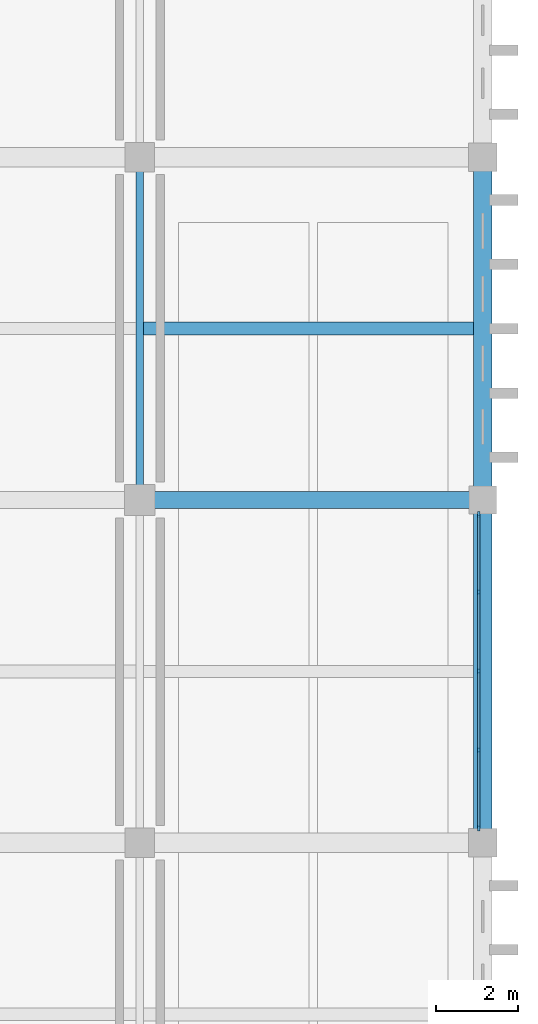
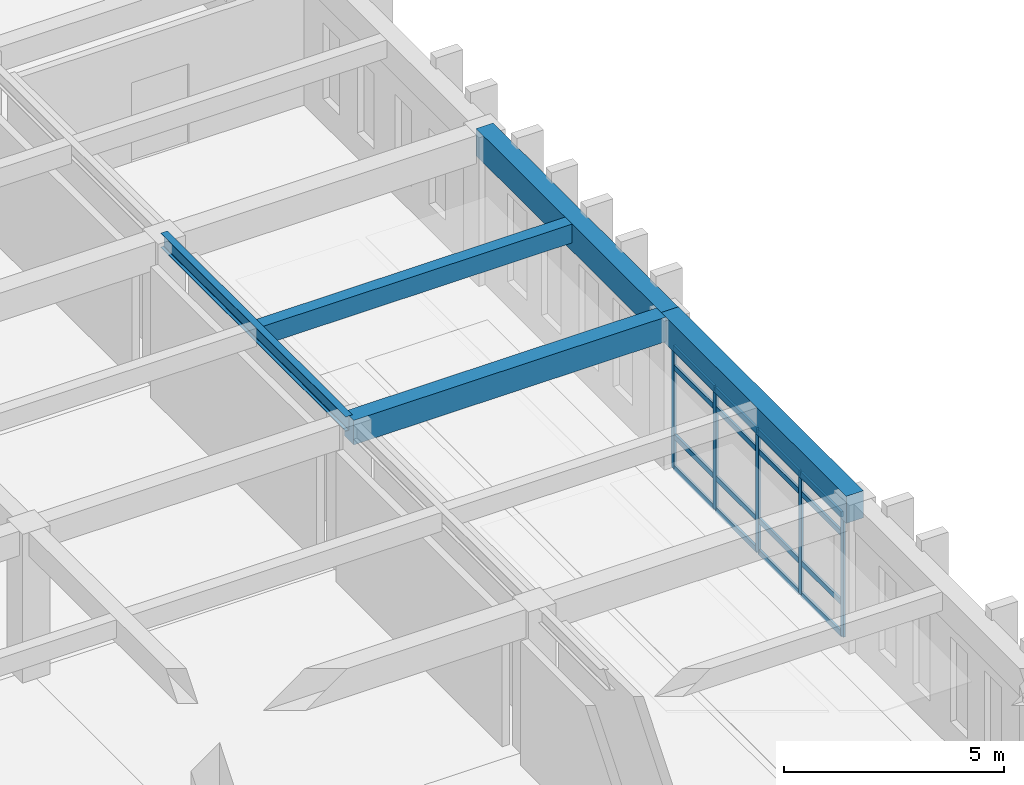
# One storey, part 105 of 192: 21 members, 5 beams, 1 element without a shape of its own.
"""IFC4 building model written with IfcOpenShell, lengths in metres."""

from ifc_helpers import new_model, si_unit, direction, frame, origin, origin_2d, place, context, subcontext, project, spatial, rectangle, i_section, extrude, material, layer, layer_set, material_profile, profile_set, type_object, element, aggregate, save


model = new_model("IFC4")

# Units and contexts
model_context = context("Model", 3, precision=1e-05, world=origin(), true_north=direction((0.0, 1.0)))
body_context = subcontext(model_context, "Body", "Model", "MODEL_VIEW")
ifc_project = project(units=[si_unit("LENGTHUNIT", "METRE"), si_unit("AREAUNIT", "SQUARE_METRE"), si_unit("VOLUMEUNIT", "CUBIC_METRE"), si_unit("PLANEANGLEUNIT", "RADIAN"), si_unit("MASSUNIT", "GRAM", prefix="KILO")], contexts=[model_context])

# Site, building, storey
site_placement = place(None, origin())
site = spatial("IfcSite", under=ifc_project, at=site_placement, CompositionType="ELEMENT")
building_placement = place(site_placement, origin())
building = spatial("IfcBuilding", under=site, at=building_placement, Name="Kveldsbrygga Polytechnic", CompositionType="ELEMENT")
storey_placement = place(building_placement, frame((0.0, 0.0, 5.43994140625)))
storey = spatial("IfcBuildingStorey", under=building, at=storey_placement, Name="L01", CompositionType="ELEMENT", Elevation=5.43994140625)

# Beams
ifc_material_1 = material(Name="Concrete C35/45", Category="concrete")
ifc_material_profile_1 = material_profile(ifc_material_1, rectangle(XDim=0.419921875, YDim=0.679931640625, at=origin_2d()), Name="RC 420x680")
ifc_profile_set_1 = profile_set([ifc_material_profile_1], Name="Concrete C35/45")
beam_type_1 = type_object("IfcBeamType", Name="BM-RC-420x680", PredefinedType="BEAM", material=ifc_profile_set_1)
beam_1_placement = place(storey_placement, frame((159.60009765625, 58.800048828125, 3.780029296875), z_axis=(1.0, 0.0, 0.0), x_axis=(0.0, 1.0, 0.0)))
element("IfcBeam", 1, at=beam_1_placement, inside=storey, type_object=beam_type_1, Name="Primary Beam BMX-L01-19to20-07", PredefinedType="BEAM", context=body_context, shape_type="SweptSolid", body=[
    extrude(rectangle(XDim=0.419921875, YDim=0.679931640625, at=origin_2d()), origin(), (0.0, 0.0, 1.0), 8.39990234375),
])
ifc_material_profile_2 = material_profile(ifc_material_1, rectangle(XDim=0.449951171875, YDim=0.75, at=origin_2d()), Name="RC 450x750")
ifc_profile_set_2 = profile_set([ifc_material_profile_2], Name="Concrete C35/45")
beam_type_2 = type_object("IfcBeamType", Name="BM-RC-450x750", PredefinedType="BEAM", material=ifc_profile_set_2)
beam_2_placement = place(storey_placement, frame((168.0, 50.39990234375, 3.7451171875), z_axis=(0.0, 1.0, 0.0), x_axis=(-1.0, 0.0, 0.0)))
element("IfcBeam", 2, at=beam_2_placement, inside=storey, type_object=beam_type_2, Name="Primary Beam BMY-L01-20-06to07", PredefinedType="BEAM", context=body_context, shape_type="SweptSolid", body=[
    extrude(rectangle(XDim=0.449951171875, YDim=0.75, at=origin_2d()), origin(), (0.0, 0.0, 1.0), 8.400146484375),
])
beam_3_placement = place(storey_placement, frame((168.0, 58.800048828125, 3.7451171875), z_axis=(0.0, 1.0, 0.0), x_axis=(-1.0, 0.0, 0.0)))
element("IfcBeam", 3, at=beam_3_placement, inside=storey, type_object=beam_type_2, Name="Primary Beam BMY-L01-20-07to08", PredefinedType="BEAM", context=body_context, shape_type="SweptSolid", body=[
    extrude(rectangle(XDim=0.449951171875, YDim=0.75, at=origin_2d()), origin(), (0.0, 0.0, 1.0), 8.39990234375),
])
ifc_material_2 = material(Name="Steel S355", Category="steel")
ifc_material_profile_3 = material_profile(ifc_material_2, i_section(OverallWidth=0.179931640625, OverallDepth=0.39990234375, WebThickness=0.008544921875, FlangeThickness=0.013427734375, FilletRadius=0.02099609375, at=origin_2d()), Name="IPE 400")
ifc_profile_set_3 = profile_set([ifc_material_profile_3], Name="Steel S355")
beam_type_3 = type_object("IfcBeamType", Name="BM-STL-IPE400", PredefinedType="BEAM", material=ifc_profile_set_3)
beam_4_placement = place(storey_placement, frame((159.60009765625, 58.800048828125, 3.920166015625), z_axis=(0.0, 1.0, 0.0), x_axis=(-1.0, 0.0, 0.0)))
element("IfcBeam", 4, at=beam_4_placement, inside=storey, type_object=beam_type_3, Name="Primary Beam BMY-L01-19-07to08", PredefinedType="BEAM", context=body_context, shape_type="SweptSolid", body=[
    extrude(i_section(OverallWidth=0.179931640625, OverallDepth=0.39990234375, WebThickness=0.008544921875, FlangeThickness=0.013427734375, FilletRadius=0.02099609375, at=origin_2d()), origin(), (0.0, 0.0, 1.0), 8.39990234375),
])

# Curtain wall, members
ifc_material_3 = material(Name="Anodised aluminium AW-6060", Category="aluminium")
ifc_layer = layer(ifc_material_3, 0.199951171875)
ifc_layer_set = layer_set([ifc_layer], Name="Anodised aluminium AW-6060")
curtain_wall_type = type_object("IfcCurtainWallType", Name="CW-LANC-E", PredefinedType="USERDEFINED", material=ifc_layer_set)
curtain_wall_placement = place(storey_placement, origin())
curtain_wall = element("IfcCurtainWall", 5, at=curtain_wall_placement, inside=storey, type_object=curtain_wall_type, Name="Curtain Wall CW-L01-Y-20-06", ObjectType="UNITISED CURTAIN WALL", PredefinedType="USERDEFINED")
ifc_material_profile_4 = material_profile(ifc_material_3, rectangle(XDim=0.06005859375, YDim=0.139892578125, at=origin_2d()), Name="ALU 60x140")
ifc_profile_set_4 = profile_set([ifc_material_profile_4], Name="Anodised aluminium AW-6060")
member_type_1 = type_object("IfcMemberType", Name="CW-MUL-140", PredefinedType="MULLION", material=ifc_profile_set_4)
member_1_placement = place(storey_placement, frame((167.89990234375, 50.764892578125, 0.0), z_axis=(0.0, 0.0, 1.0), x_axis=(-1.0, 0.0, 0.0)))
member_1 = element("IfcMember", 6, at=member_1_placement, type_object=member_type_1, Name="CW-05 mullion 1", PredefinedType="MULLION", context=body_context, shape_type="SweptSolid", body=[
    extrude(rectangle(XDim=0.06005859375, YDim=0.139892578125, at=origin_2d()), origin(), (0.0, 0.0, 1.0), 3.3701171875),
])
member_2_placement = place(storey_placement, frame((167.89990234375, 52.669921875, 0.0), z_axis=(0.0, 0.0, 1.0), x_axis=(-1.0, 0.0, 0.0)))
member_2 = element("IfcMember", 7, at=member_2_placement, type_object=member_type_1, Name="CW-05 mullion 2", PredefinedType="MULLION", context=body_context, shape_type="SweptSolid", body=[
    extrude(rectangle(XDim=0.06005859375, YDim=0.139892578125, at=origin_2d()), origin(), (0.0, 0.0, 1.0), 3.3701171875),
])
member_3_placement = place(storey_placement, frame((167.89990234375, 54.60498046875, 0.0), z_axis=(0.0, 0.0, 1.0), x_axis=(-1.0, 0.0, 0.0)))
member_3 = element("IfcMember", 8, at=member_3_placement, type_object=member_type_1, Name="CW-05 mullion 3", PredefinedType="MULLION", context=body_context, shape_type="SweptSolid", body=[
    extrude(rectangle(XDim=0.06005859375, YDim=0.139892578125, at=origin_2d()), origin(), (0.0, 0.0, 1.0), 3.3701171875),
])
member_4_placement = place(storey_placement, frame((167.89990234375, 56.5400390625, 0.0), z_axis=(0.0, 0.0, 1.0), x_axis=(-1.0, 0.0, 0.0)))
member_4 = element("IfcMember", 9, at=member_4_placement, type_object=member_type_1, Name="CW-05 mullion 4", PredefinedType="MULLION", context=body_context, shape_type="SweptSolid", body=[
    extrude(rectangle(XDim=0.06005859375, YDim=0.139892578125, at=origin_2d()), origin(), (0.0, 0.0, 1.0), 3.3701171875),
])
member_5_placement = place(storey_placement, frame((167.89990234375, 58.445068359375, 0.0), z_axis=(0.0, 0.0, 1.0), x_axis=(-1.0, 0.0, 0.0)))
member_5 = element("IfcMember", 10, at=member_5_placement, type_object=member_type_1, Name="CW-05 mullion 5", PredefinedType="MULLION", context=body_context, shape_type="SweptSolid", body=[
    extrude(rectangle(XDim=0.06005859375, YDim=0.139892578125, at=origin_2d()), origin(), (0.0, 0.0, 1.0), 3.3701171875),
])
ifc_material_profile_5 = material_profile(ifc_material_3, rectangle(XDim=0.06005859375, YDim=0.14990234375, at=origin_2d()), Name="ALU 60x150")
ifc_profile_set_5 = profile_set([ifc_material_profile_5], Name="Anodised aluminium AW-6060")
member_type_2 = type_object("IfcMemberType", Name="CW-TRN-150", PredefinedType="USERDEFINED", material=ifc_profile_set_5)
member_6_placement = place(storey_placement, frame((167.89990234375, 50.794921875, 0.030029296875), z_axis=(0.0, 1.0, 0.0), x_axis=(-1.0, 0.0, 0.0)))
member_6 = element("IfcMember", 11, at=member_6_placement, type_object=member_type_2, Name="CW-05 transom 1.1", ObjectType="TRANSOM", PredefinedType="USERDEFINED", context=body_context, shape_type="SweptSolid", body=[
    extrude(rectangle(XDim=0.06005859375, YDim=0.14990234375, at=origin_2d()), origin(), (0.0, 0.0, 1.0), 1.844970703125),
])
member_7_placement = place(storey_placement, frame((167.89990234375, 50.794921875, 0.900146484375), z_axis=(0.0, 1.0, 0.0), x_axis=(-1.0, 0.0, 0.0)))
member_7 = element("IfcMember", 12, at=member_7_placement, type_object=member_type_2, Name="CW-05 transom 1.2", ObjectType="TRANSOM", PredefinedType="USERDEFINED", context=body_context, shape_type="SweptSolid", body=[
    extrude(rectangle(XDim=0.06005859375, YDim=0.14990234375, at=origin_2d()), origin(), (0.0, 0.0, 1.0), 1.844970703125),
])
member_8_placement = place(storey_placement, frame((167.89990234375, 50.794921875, 2.820068359375), z_axis=(0.0, 1.0, 0.0), x_axis=(-1.0, 0.0, 0.0)))
member_8 = element("IfcMember", 13, at=member_8_placement, type_object=member_type_2, Name="CW-05 transom 1.3", ObjectType="TRANSOM", PredefinedType="USERDEFINED", context=body_context, shape_type="SweptSolid", body=[
    extrude(rectangle(XDim=0.06005859375, YDim=0.14990234375, at=origin_2d()), origin(), (0.0, 0.0, 1.0), 1.844970703125),
])
member_9_placement = place(storey_placement, frame((167.89990234375, 50.794921875, 3.340087890625), z_axis=(0.0, 1.0, 0.0), x_axis=(-1.0, 0.0, 0.0)))
member_9 = element("IfcMember", 14, at=member_9_placement, type_object=member_type_2, Name="CW-05 transom 1.4", ObjectType="TRANSOM", PredefinedType="USERDEFINED", context=body_context, shape_type="SweptSolid", body=[
    extrude(rectangle(XDim=0.06005859375, YDim=0.14990234375, at=origin_2d()), origin(), (0.0, 0.0, 1.0), 1.844970703125),
])
member_10_placement = place(storey_placement, frame((167.89990234375, 52.699951171875, 0.030029296875), z_axis=(0.0, 1.0, 0.0), x_axis=(-1.0, 0.0, 0.0)))
member_10 = element("IfcMember", 15, at=member_10_placement, type_object=member_type_2, Name="CW-05 transom 2.1", ObjectType="TRANSOM", PredefinedType="USERDEFINED", context=body_context, shape_type="SweptSolid", body=[
    extrude(rectangle(XDim=0.06005859375, YDim=0.14990234375, at=origin_2d()), origin(), (0.0, 0.0, 1.0), 1.875),
])
member_11_placement = place(storey_placement, frame((167.89990234375, 52.699951171875, 0.900146484375), z_axis=(0.0, 1.0, 0.0), x_axis=(-1.0, 0.0, 0.0)))
member_11 = element("IfcMember", 16, at=member_11_placement, type_object=member_type_2, Name="CW-05 transom 2.2", ObjectType="TRANSOM", PredefinedType="USERDEFINED", context=body_context, shape_type="SweptSolid", body=[
    extrude(rectangle(XDim=0.06005859375, YDim=0.14990234375, at=origin_2d()), origin(), (0.0, 0.0, 1.0), 1.875),
])
member_12_placement = place(storey_placement, frame((167.89990234375, 52.699951171875, 2.820068359375), z_axis=(0.0, 1.0, 0.0), x_axis=(-1.0, 0.0, 0.0)))
member_12 = element("IfcMember", 17, at=member_12_placement, type_object=member_type_2, Name="CW-05 transom 2.3", ObjectType="TRANSOM", PredefinedType="USERDEFINED", context=body_context, shape_type="SweptSolid", body=[
    extrude(rectangle(XDim=0.06005859375, YDim=0.14990234375, at=origin_2d()), origin(), (0.0, 0.0, 1.0), 1.875),
])
member_13_placement = place(storey_placement, frame((167.89990234375, 52.699951171875, 3.340087890625), z_axis=(0.0, 1.0, 0.0), x_axis=(-1.0, 0.0, 0.0)))
member_13 = element("IfcMember", 18, at=member_13_placement, type_object=member_type_2, Name="CW-05 transom 2.4", ObjectType="TRANSOM", PredefinedType="USERDEFINED", context=body_context, shape_type="SweptSolid", body=[
    extrude(rectangle(XDim=0.06005859375, YDim=0.14990234375, at=origin_2d()), origin(), (0.0, 0.0, 1.0), 1.875),
])
member_14_placement = place(storey_placement, frame((167.89990234375, 54.635009765625, 0.030029296875), z_axis=(0.0, 1.0, 0.0), x_axis=(-1.0, 0.0, 0.0)))
member_14 = element("IfcMember", 19, at=member_14_placement, type_object=member_type_2, Name="CW-05 transom 3.1", ObjectType="TRANSOM", PredefinedType="USERDEFINED", context=body_context, shape_type="SweptSolid", body=[
    extrude(rectangle(XDim=0.06005859375, YDim=0.14990234375, at=origin_2d()), origin(), (0.0, 0.0, 1.0), 1.875),
])
member_15_placement = place(storey_placement, frame((167.89990234375, 54.635009765625, 0.900146484375), z_axis=(0.0, 1.0, 0.0), x_axis=(-1.0, 0.0, 0.0)))
member_15 = element("IfcMember", 20, at=member_15_placement, type_object=member_type_2, Name="CW-05 transom 3.2", ObjectType="TRANSOM", PredefinedType="USERDEFINED", context=body_context, shape_type="SweptSolid", body=[
    extrude(rectangle(XDim=0.06005859375, YDim=0.14990234375, at=origin_2d()), origin(), (0.0, 0.0, 1.0), 1.875),
])
member_16_placement = place(storey_placement, frame((167.89990234375, 54.635009765625, 2.820068359375), z_axis=(0.0, 1.0, 0.0), x_axis=(-1.0, 0.0, 0.0)))
member_16 = element("IfcMember", 21, at=member_16_placement, type_object=member_type_2, Name="CW-05 transom 3.3", ObjectType="TRANSOM", PredefinedType="USERDEFINED", context=body_context, shape_type="SweptSolid", body=[
    extrude(rectangle(XDim=0.06005859375, YDim=0.14990234375, at=origin_2d()), origin(), (0.0, 0.0, 1.0), 1.875),
])
member_17_placement = place(storey_placement, frame((167.89990234375, 54.635009765625, 3.340087890625), z_axis=(0.0, 1.0, 0.0), x_axis=(-1.0, 0.0, 0.0)))
member_17 = element("IfcMember", 22, at=member_17_placement, type_object=member_type_2, Name="CW-05 transom 3.4", ObjectType="TRANSOM", PredefinedType="USERDEFINED", context=body_context, shape_type="SweptSolid", body=[
    extrude(rectangle(XDim=0.06005859375, YDim=0.14990234375, at=origin_2d()), origin(), (0.0, 0.0, 1.0), 1.875),
])
member_18_placement = place(storey_placement, frame((167.89990234375, 56.570068359375, 0.030029296875), z_axis=(0.0, 1.0, 0.0), x_axis=(-1.0, 0.0, 0.0)))
member_18 = element("IfcMember", 23, at=member_18_placement, type_object=member_type_2, Name="CW-05 transom 4.1", ObjectType="TRANSOM", PredefinedType="USERDEFINED", context=body_context, shape_type="SweptSolid", body=[
    extrude(rectangle(XDim=0.06005859375, YDim=0.14990234375, at=origin_2d()), origin(), (0.0, 0.0, 1.0), 1.844970703125),
])
member_19_placement = place(storey_placement, frame((167.89990234375, 56.570068359375, 0.900146484375), z_axis=(0.0, 1.0, 0.0), x_axis=(-1.0, 0.0, 0.0)))
member_19 = element("IfcMember", 24, at=member_19_placement, type_object=member_type_2, Name="CW-05 transom 4.2", ObjectType="TRANSOM", PredefinedType="USERDEFINED", context=body_context, shape_type="SweptSolid", body=[
    extrude(rectangle(XDim=0.06005859375, YDim=0.14990234375, at=origin_2d()), origin(), (0.0, 0.0, 1.0), 1.844970703125),
])
member_20_placement = place(storey_placement, frame((167.89990234375, 56.570068359375, 2.820068359375), z_axis=(0.0, 1.0, 0.0), x_axis=(-1.0, 0.0, 0.0)))
member_20 = element("IfcMember", 25, at=member_20_placement, type_object=member_type_2, Name="CW-05 transom 4.3", ObjectType="TRANSOM", PredefinedType="USERDEFINED", context=body_context, shape_type="SweptSolid", body=[
    extrude(rectangle(XDim=0.06005859375, YDim=0.14990234375, at=origin_2d()), origin(), (0.0, 0.0, 1.0), 1.844970703125),
])
member_21_placement = place(storey_placement, frame((167.89990234375, 56.570068359375, 3.340087890625), z_axis=(0.0, 1.0, 0.0), x_axis=(-1.0, 0.0, 0.0)))
member_21 = element("IfcMember", 26, at=member_21_placement, type_object=member_type_2, Name="CW-05 transom 4.4", ObjectType="TRANSOM", PredefinedType="USERDEFINED", context=body_context, shape_type="SweptSolid", body=[
    extrude(rectangle(XDim=0.06005859375, YDim=0.14990234375, at=origin_2d()), origin(), (0.0, 0.0, 1.0), 1.844970703125),
])
aggregate(curtain_wall, [member_1, member_2, member_3, member_4, member_5, member_6, member_7, member_8, member_9, member_10, member_11, member_12, member_13, member_14, member_15, member_16, member_17, member_18, member_19, member_20, member_21])

# Beam
ifc_material_profile_6 = material_profile(ifc_material_1, rectangle(XDim=0.320068359375, YDim=0.52001953125, at=origin_2d()), Name="RC 320x520")
ifc_profile_set_6 = profile_set([ifc_material_profile_6], Name="Concrete C35/45")
beam_type_4 = type_object("IfcBeamType", Name="JST-RC-320x520", PredefinedType="JOIST", material=ifc_profile_set_6)
beam_5_placement = place(storey_placement, frame((159.68994140625, 63.0, 3.860107421875), z_axis=(1.0, 0.0, 0.0), x_axis=(0.0, 1.0, 0.0)))
element("IfcBeam", 27, at=beam_5_placement, inside=storey, type_object=beam_type_4, Name="Secondary Joist JST-L01-19-07", PredefinedType="JOIST", context=body_context, shape_type="SweptSolid", body=[
    extrude(rectangle(XDim=0.320068359375, YDim=0.52001953125, at=origin_2d()), origin(), (0.0, 0.0, 1.0), 8.0849609375),
])

save(model, "model.ifc")
